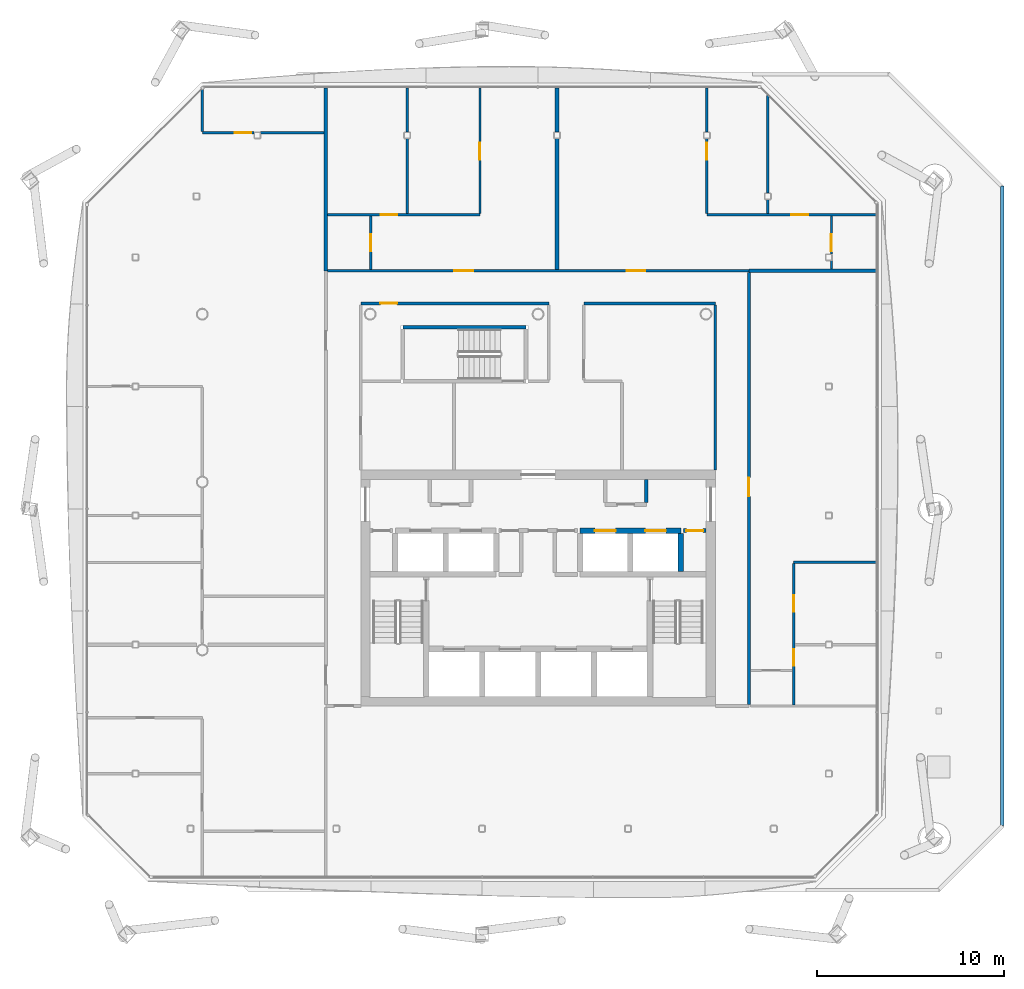
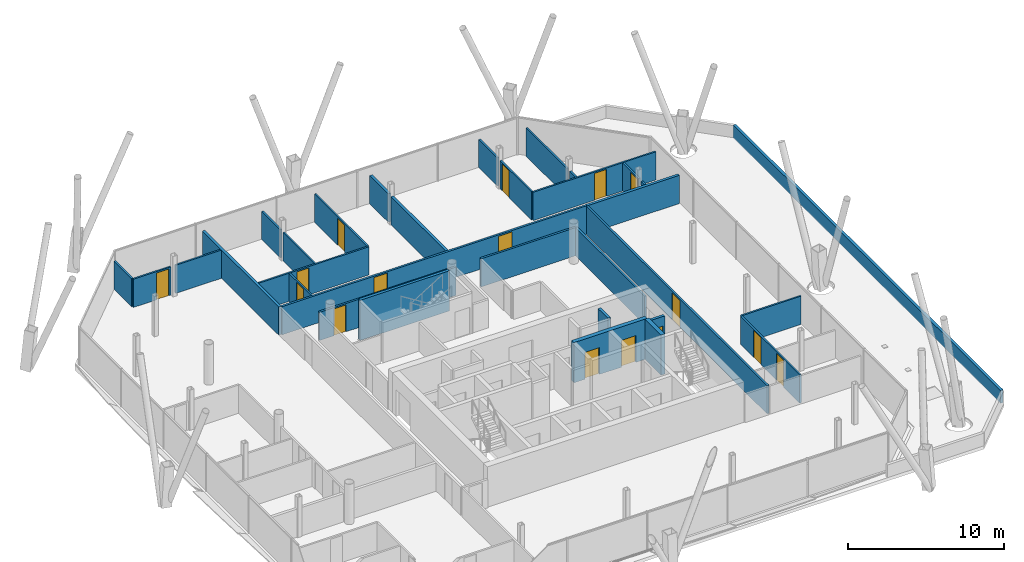
# One storey, part 15 of 21: 32 walls, 16 doors, 16 openings.
"""IFC4 building model written with IfcOpenShell, lengths in metres."""

from ifc_helpers import new_model, si_unit, direction, frame, frame_2d, origin, place, context, subcontext, project, spatial, rectangle, extrude, material, layer, layer_set, type_object, element, fill, save


model = new_model("IFC4")

# Units and contexts
model_context = context("Model", 3, precision=1e-05, world=origin(), true_north=direction((0.0, 1.0)))
body_context = subcontext(model_context, "Body", "Model", "MODEL_VIEW")
ifc_project = project(units=[si_unit("LENGTHUNIT", "METRE"), si_unit("AREAUNIT", "SQUARE_METRE"), si_unit("VOLUMEUNIT", "CUBIC_METRE"), si_unit("PLANEANGLEUNIT", "RADIAN"), si_unit("MASSUNIT", "GRAM", prefix="KILO")], contexts=[model_context])

# Site, building, storey
site_placement = place(None, origin())
site = spatial("IfcSite", under=ifc_project, at=site_placement, CompositionType="ELEMENT")
building_placement = place(site_placement, origin())
building = spatial("IfcBuilding", under=site, at=building_placement, Name="Tskaro Facet Tower", CompositionType="ELEMENT")
storey_placement = place(building_placement, frame((0.0, 0.0, 172.199951171875)))
storey = spatial("IfcBuildingStorey", under=building, at=storey_placement, Name="L42", CompositionType="ELEMENT", Elevation=172.199951171875)

# Wall, openings, doors
ifc_material_1 = material(Name="Concrete C60/75", Category="concrete")
ifc_layer_1 = layer(ifc_material_1, 0.300048828125, Name="Concrete C60/75")
ifc_layer_set_1 = layer_set([ifc_layer_1], Name="Concrete C60/75")
wall_type_1 = type_object("IfcWallType", Name="CORE-SHAFT", PredefinedType="SHEAR", material=ifc_layer_set_1)
wall_1_placement = place(storey_placement, frame((2.25, -2.60009765625, 0.0), z_axis=(0.0, 0.0, 1.0), x_axis=(1.0, 0.0, 0.0)))
wall_1 = element("IfcWall", 1, at=wall_1_placement, inside=storey, type_object=wall_type_1, Name="Shaft wall W025", PredefinedType="SHEAR", context=body_context, shape_type="SweptSolid", body=[
    extrude(rectangle(XDim=5.39990234375, YDim=0.300048828125, at=frame_2d((2.699951171875, 0.0))), origin(), (0.0, 0.0, 1.0), 3.150146484375),
])
opening_1_placement = place(wall_1_placement, frame((0.800048828125, 0.0, 0.0)))
opening_1 = element("IfcOpeningElement", 2, at=opening_1_placement, cuts=wall_1, Name="Opening LD-HB3", PredefinedType="OPENING", context=body_context, shape_type="SweptSolid", body=[
    extrude(rectangle(XDim=1.10009765625, YDim=2.10009765625, at=frame_2d((0.550048828125, 1.050048828125))), frame((0.0, 0.159912109375, 0.0), z_axis=(0.0, -1.0, 0.0), x_axis=(1.0, 0.0, 0.0)), (0.0, 0.0, 1.0), 0.320068359375),
])
opening_2_placement = place(wall_1_placement, frame((3.5, 0.0, 0.0)))
opening_2 = element("IfcOpeningElement", 3, at=opening_2_placement, cuts=wall_1, Name="Opening LD-HB4", PredefinedType="OPENING", context=body_context, shape_type="SweptSolid", body=[
    extrude(rectangle(XDim=1.10009765625, YDim=2.10009765625, at=frame_2d((0.550048828125, 1.050048828125))), frame((0.0, 0.159912109375, 0.0), z_axis=(0.0, -1.0, 0.0), x_axis=(1.0, 0.0, 0.0)), (0.0, 0.0, 1.0), 0.320068359375),
])
ifc_material_2 = material(Name="Stainless steel", Category="steel")
door_type_1 = type_object("IfcDoorType", Name="D-LANDING", OperationType="NOTDEFINED", PredefinedType="DOOR", material=ifc_material_2)
door_1_placement = place(opening_1_placement, origin())
door_1 = element("IfcDoor", 4, at=door_1_placement, inside=storey, type_object=door_type_1, Name="Landing door HB3", OperationType="DOUBLE_DOOR_SLIDING", OverallHeight=2.10009765625, OverallWidth=1.10009765625, PredefinedType="DOOR", context=body_context, shape_type="SweptSolid", body=[
    extrude(rectangle(XDim=1.10009765625, YDim=2.10009765625, at=frame_2d((0.550048828125, 1.050048828125))), frame((0.0, 0.02490234375, 0.0), z_axis=(0.0, -1.0, 0.0), x_axis=(1.0, 0.0, 0.0)), (0.0, 0.0, 1.0), 0.050048828125),
])
fill(opening_1, door_1)
door_2_placement = place(opening_2_placement, origin())
door_2 = element("IfcDoor", 5, at=door_2_placement, inside=storey, type_object=door_type_1, Name="Landing door HB4", OperationType="DOUBLE_DOOR_SLIDING", OverallHeight=2.10009765625, OverallWidth=1.10009765625, PredefinedType="DOOR", context=body_context, shape_type="SweptSolid", body=[
    extrude(rectangle(XDim=1.10009765625, YDim=2.10009765625, at=frame_2d((0.550048828125, 1.050048828125))), frame((0.0, 0.02490234375, 0.0), z_axis=(0.0, -1.0, 0.0), x_axis=(1.0, 0.0, 0.0)), (0.0, 0.0, 1.0), 0.050048828125),
])
fill(opening_2, door_2)

# Wall
wall_2_placement = place(storey_placement, frame((7.64990234375, -4.800048828125, 0.0), z_axis=(0.0, 0.0, 1.0), x_axis=(0.0, 1.0, 0.0)))
element("IfcWall", 6, at=wall_2_placement, inside=storey, type_object=wall_type_1, Name="Shaft wall W082", PredefinedType="SHEAR", context=body_context, shape_type="SweptSolid", body=[
    extrude(rectangle(XDim=2.050048828125, YDim=0.300048828125, at=frame_2d((1.02490234375, 0.0))), origin(), (0.0, 0.0, 1.0), 3.150146484375),
])

# Wall, opening, door
ifc_material_3 = material(Name="Concrete C20/25", Category="concrete")
ifc_layer_2 = layer(ifc_material_3, 0.199951171875, Name="Concrete C20/25")
ifc_layer_set_2 = layer_set([ifc_layer_2], Name="Concrete C20/25")
wall_type_2 = type_object("IfcWallType", Name="CORE-WALL", PredefinedType="SOLIDWALL", material=ifc_layer_set_2)
wall_3_placement = place(storey_placement, frame((9.0, -2.60009765625, 0.0), z_axis=(0.0, 0.0, 1.0), x_axis=(-1.0, 0.0, 0.0)))
wall_3 = element("IfcWall", 7, at=wall_3_placement, inside=storey, type_object=wall_type_2, Name="Core room wall W026", PredefinedType="SOLIDWALL", context=body_context, shape_type="SweptSolid", body=[
    extrude(rectangle(XDim=1.199951171875, YDim=0.199951171875, at=frame_2d((0.60009765625, 0.0))), origin(), (0.0, 0.0, 1.0), 2.85009765625),
])
opening_3_placement = place(wall_3_placement, frame((0.14990234375, 0.0, 0.0)))
opening_3 = element("IfcOpeningElement", 8, at=opening_3_placement, cuts=wall_3, Name="Opening T12-D15", PredefinedType="OPENING", context=body_context, shape_type="SweptSolid", body=[
    extrude(rectangle(XDim=0.89990234375, YDim=2.10009765625, at=frame_2d((0.449951171875, 1.050048828125))), frame((0.0, 0.10986328125, 0.0), z_axis=(0.0, -1.0, 0.0), x_axis=(1.0, 0.0, 0.0)), (0.0, 0.0, 1.0), 0.219970703125),
])
ifc_material_4 = material(Name="Timber", Category="wood")
door_type_2 = type_object("IfcDoorType", Name="D-ROOM", OperationType="NOTDEFINED", PredefinedType="DOOR", material=ifc_material_4)
door_3_placement = place(opening_3_placement, origin())
door_3 = element("IfcDoor", 9, at=door_3_placement, inside=storey, type_object=door_type_2, Name="Door T12-D15", OperationType="SINGLE_SWING_RIGHT", OverallHeight=2.10009765625, OverallWidth=0.89990234375, PredefinedType="DOOR", context=body_context, shape_type="SweptSolid", body=[
    extrude(rectangle(XDim=0.89990234375, YDim=2.10009765625, at=frame_2d((0.449951171875, 1.050048828125))), frame((0.0, 0.02490234375, 0.0), z_axis=(0.0, -1.0, 0.0), x_axis=(1.0, 0.0, 0.0)), (0.0, 0.0, 1.0), 0.050048828125),
])
fill(opening_3, door_3)

# Walls
wall_4_placement = place(storey_placement, frame((5.800048828125, -1.10009765625, 0.0), z_axis=(0.0, 0.0, 1.0), x_axis=(0.0, 1.0, 0.0)))
element("IfcWall", 10, at=wall_4_placement, inside=storey, type_object=wall_type_2, Name="Core room wall W080", PredefinedType="SOLIDWALL", context=body_context, shape_type="SweptSolid", body=[
    extrude(rectangle(XDim=1.25, YDim=0.199951171875, at=frame_2d((0.625, 0.0))), origin(), (0.0, 0.0, 1.0), 2.85009765625),
])
ifc_material_5 = material(Name="Gypsum board on steel studs", Category="steel")
ifc_layer_3 = layer(ifc_material_5, 0.125, Name="Gypsum board on steel studs")
ifc_layer_set_3 = layer_set([ifc_layer_3], Name="Gypsum board on steel studs")
wall_type_3 = type_object("IfcWallType", Name="PART", PredefinedType="PARTITIONING", material=ifc_layer_set_3)
wall_5_placement = place(storey_placement, frame((13.699951171875, -4.300048828125, 0.0), z_axis=(0.0, 0.0, 1.0), x_axis=(1.0, 0.0, 0.0)))
element("IfcWall", 11, at=wall_5_placement, inside=storey, type_object=wall_type_3, Name="Partition W021", PredefinedType="PARTITIONING", context=body_context, shape_type="SweptSolid", body=[
    extrude(rectangle(XDim=4.425048828125, YDim=0.125, at=frame_2d((2.21240234375, 0.0))), origin(), (0.0, 0.0, 1.0), 2.2099609375),
])

# Wall, opening, door
wall_6_placement = place(storey_placement, frame((-11.27490234375, 14.324951171875, 0.0), z_axis=(0.0, 0.0, 1.0), x_axis=(1.0, 0.0, 0.0)))
wall_6 = element("IfcWall", 12, at=wall_6_placement, inside=storey, type_object=wall_type_3, Name="Partition W042", PredefinedType="PARTITIONING", context=body_context, shape_type="SweptSolid", body=[
    extrude(rectangle(XDim=8.159912109375, YDim=0.125, at=frame_2d((4.080078125, 0.0))), origin(), (0.0, 0.0, 1.0), 2.2099609375),
])
opening_4_placement = place(wall_6_placement, frame((2.830078125, 0.0, 0.0)))
opening_4 = element("IfcOpeningElement", 13, at=opening_4_placement, cuts=wall_6, Name="Opening T12-D31", PredefinedType="OPENING", context=body_context, shape_type="SweptSolid", body=[
    extrude(rectangle(XDim=0.89990234375, YDim=2.10009765625, at=frame_2d((0.449951171875, 1.050048828125))), frame((0.0, 0.072509765625, 0.0), z_axis=(0.0, -1.0, 0.0), x_axis=(1.0, 0.0, 0.0)), (0.0, 0.0, 1.0), 0.14501953125),
])
door_4_placement = place(opening_4_placement, origin())
door_4 = element("IfcDoor", 14, at=door_4_placement, inside=storey, type_object=door_type_2, Name="Door T12-D31", OperationType="SINGLE_SWING_RIGHT", OverallHeight=2.10009765625, OverallWidth=0.89990234375, PredefinedType="DOOR", context=body_context, shape_type="SweptSolid", body=[
    extrude(rectangle(XDim=0.89990234375, YDim=2.10009765625, at=frame_2d((0.449951171875, 1.050048828125))), frame((0.0, 0.02490234375, 0.0), z_axis=(0.0, -1.0, 0.0), x_axis=(1.0, 0.0, 0.0)), (0.0, 0.0, 1.0), 0.050048828125),
])
fill(opening_4, door_4)

wall_7_placement = place(storey_placement, frame((9.044921875, 14.324951171875, 0.0), z_axis=(0.0, 0.0, 1.0), x_axis=(1.0, 0.0, 0.0)))
wall_7 = element("IfcWall", 15, at=wall_7_placement, inside=storey, type_object=wall_type_3, Name="Partition W043", PredefinedType="PARTITIONING", context=body_context, shape_type="SweptSolid", body=[
    extrude(rectangle(XDim=9.080078125, YDim=0.125, at=frame_2d((4.5400390625, 0.0))), origin(), (0.0, 0.0, 1.0), 2.2099609375),
])
opening_5_placement = place(wall_7_placement, frame((4.52490234375, 0.0, 0.0)))
opening_5 = element("IfcOpeningElement", 16, at=opening_5_placement, cuts=wall_7, Name="Opening T12-D32", PredefinedType="OPENING", context=body_context, shape_type="SweptSolid", body=[
    extrude(rectangle(XDim=0.89990234375, YDim=2.10009765625, at=frame_2d((0.449951171875, 1.050048828125))), frame((0.0, 0.072509765625, 0.0), z_axis=(0.0, -1.0, 0.0), x_axis=(1.0, 0.0, 0.0)), (0.0, 0.0, 1.0), 0.14501953125),
])
door_5_placement = place(opening_5_placement, origin())
door_5 = element("IfcDoor", 17, at=door_5_placement, inside=storey, type_object=door_type_2, Name="Door T12-D32", OperationType="SINGLE_SWING_LEFT", OverallHeight=2.10009765625, OverallWidth=0.89990234375, PredefinedType="DOOR", context=body_context, shape_type="SweptSolid", body=[
    extrude(rectangle(XDim=0.89990234375, YDim=2.10009765625, at=frame_2d((0.449951171875, 1.050048828125))), frame((0.0, 0.02490234375, 0.0), z_axis=(0.0, -1.0, 0.0), x_axis=(1.0, 0.0, 0.0)), (0.0, 0.0, 1.0), 0.050048828125),
])
fill(opening_5, door_5)

wall_8_placement = place(storey_placement, frame((-18.0, 18.72509765625, 0.0), z_axis=(0.0, 0.0, 1.0), x_axis=(1.0, 0.0, 0.0)))
wall_8 = element("IfcWall", 18, at=wall_8_placement, inside=storey, type_object=wall_type_3, Name="Partition W044", PredefinedType="PARTITIONING", context=body_context, shape_type="SweptSolid", body=[
    extrude(rectangle(XDim=2.779052734375, YDim=0.125, at=frame_2d((1.3896484375, 0.0))), origin(), (0.0, 0.0, 1.0), 2.2099609375),
])
opening_6_placement = place(wall_8_placement, frame((1.72900390625, 0.0, 0.0)))
opening_6 = element("IfcOpeningElement", 19, at=opening_6_placement, cuts=wall_8, Name="Opening T12-D35", PredefinedType="OPENING", context=body_context, shape_type="SweptSolid", body=[
    extrude(rectangle(XDim=0.89990234375, YDim=2.10009765625, at=frame_2d((0.449951171875, 1.050048828125))), frame((0.0, 0.072509765625, 0.0), z_axis=(0.0, -1.0, 0.0), x_axis=(1.0, 0.0, 0.0)), (0.0, 0.0, 1.0), 0.14501953125),
])
door_6_placement = place(opening_6_placement, origin())
door_6 = element("IfcDoor", 20, at=door_6_placement, inside=storey, type_object=door_type_2, Name="Door T12-D35", OperationType="SINGLE_SWING_LEFT", OverallHeight=2.10009765625, OverallWidth=0.89990234375, PredefinedType="DOOR", context=body_context, shape_type="SweptSolid", body=[
    extrude(rectangle(XDim=0.89990234375, YDim=2.10009765625, at=frame_2d((0.449951171875, 1.050048828125))), frame((0.0, 0.02490234375, 0.0), z_axis=(0.0, -1.0, 0.0), x_axis=(1.0, 0.0, 0.0)), (0.0, 0.0, 1.0), 0.050048828125),
])
fill(opening_6, door_6)

# Walls
wall_9_placement = place(storey_placement, frame((-14.87109375, 18.72509765625, 0.0), z_axis=(0.0, 0.0, 1.0), x_axis=(1.0, 0.0, 0.0)))
element("IfcWall", 21, at=wall_9_placement, inside=storey, type_object=wall_type_3, Name="Partition W045", PredefinedType="PARTITIONING", context=body_context, shape_type="SweptSolid", body=[
    extrude(rectangle(XDim=3.39599609375, YDim=0.125, at=frame_2d((1.697998046875, 0.0))), origin(), (0.0, 0.0, 1.0), 2.2099609375),
])
wall_10_placement = place(storey_placement, frame((-18.0, 18.78759765625, 0.0), z_axis=(0.0, 0.0, 1.0), x_axis=(0.0, 1.0, 0.0)))
element("IfcWall", 22, at=wall_10_placement, inside=storey, type_object=wall_type_3, Name="Partition W049", PredefinedType="PARTITIONING", context=body_context, shape_type="SweptSolid", body=[
    extrude(rectangle(XDim=2.24951171875, YDim=0.125, at=frame_2d((1.124755859375, 0.0))), origin(), (0.0, 0.0, 1.0), 2.2099609375),
])

# Wall, opening, door
wall_11_placement = place(storey_placement, frame((-8.97509765625, 11.39990234375, 0.0), z_axis=(0.0, 0.0, 1.0), x_axis=(0.0, 1.0, 0.0)))
wall_11 = element("IfcWall", 23, at=wall_11_placement, inside=storey, type_object=wall_type_3, Name="Partition W054", PredefinedType="PARTITIONING", context=body_context, shape_type="SweptSolid", body=[
    extrude(rectangle(XDim=2.862548828125, YDim=0.125, at=frame_2d((1.43115234375, 0.0))), origin(), (0.0, 0.0, 1.0), 2.2099609375),
])
opening_7_placement = place(wall_11_placement, frame((0.97509765625, 0.0, 0.0)))
opening_7 = element("IfcOpeningElement", 24, at=opening_7_placement, cuts=wall_11, Name="Opening T12-D29", PredefinedType="OPENING", context=body_context, shape_type="SweptSolid", body=[
    extrude(rectangle(XDim=0.89990234375, YDim=2.10009765625, at=frame_2d((0.449951171875, 1.050048828125))), frame((0.0, 0.072509765625, 0.0), z_axis=(0.0, -1.0, 0.0), x_axis=(1.0, 0.0, 0.0)), (0.0, 0.0, 1.0), 0.14501953125),
])
door_7_placement = place(opening_7_placement, origin())
door_7 = element("IfcDoor", 25, at=door_7_placement, inside=storey, type_object=door_type_2, Name="Door T12-D29", OperationType="SINGLE_SWING_LEFT", OverallHeight=2.10009765625, OverallWidth=0.89990234375, PredefinedType="DOOR", context=body_context, shape_type="SweptSolid", body=[
    extrude(rectangle(XDim=0.89990234375, YDim=2.10009765625, at=frame_2d((0.449951171875, 1.050048828125))), frame((0.0, 0.02490234375, 0.0), z_axis=(0.0, -1.0, 0.0), x_axis=(1.0, 0.0, 0.0)), (0.0, 0.0, 1.0), 0.050048828125),
])
fill(opening_7, door_7)

# Walls
wall_12_placement = place(storey_placement, frame((-7.014892578125, 14.387451171875, 0.0), z_axis=(0.0, 0.0, 1.0), x_axis=(0.0, 1.0, 0.0)))
element("IfcWall", 26, at=wall_12_placement, inside=storey, type_object=wall_type_3, Name="Partition W057", PredefinedType="PARTITIONING", context=body_context, shape_type="SweptSolid", body=[
    extrude(rectangle(XDim=4.0205078125, YDim=0.125, at=frame_2d((2.01025390625, 0.0))), origin(), (0.0, 0.0, 1.0), 2.2099609375),
])
wall_13_placement = place(storey_placement, frame((-7.014892578125, 18.758056640625, 0.0), z_axis=(0.0, 0.0, 1.0), x_axis=(0.0, 1.0, 0.0)))
element("IfcWall", 27, at=wall_13_placement, inside=storey, type_object=wall_type_3, Name="Partition W058", PredefinedType="PARTITIONING", context=body_context, shape_type="SweptSolid", body=[
    extrude(rectangle(XDim=2.366943359375, YDim=0.125, at=frame_2d((1.18359375, 0.0))), origin(), (0.0, 0.0, 1.0), 2.2099609375),
])

# Wall, opening, door
wall_14_placement = place(storey_placement, frame((-3.114990234375, 14.387451171875, 0.0), z_axis=(0.0, 0.0, 1.0), x_axis=(0.0, 1.0, 0.0)))
wall_14 = element("IfcWall", 28, at=wall_14_placement, inside=storey, type_object=wall_type_3, Name="Partition W064", PredefinedType="PARTITIONING", context=body_context, shape_type="SweptSolid", body=[
    extrude(rectangle(XDim=6.737548828125, YDim=0.125, at=frame_2d((3.36865234375, 0.0))), origin(), (0.0, 0.0, 1.0), 2.2099609375),
])
opening_8_placement = place(wall_14_placement, frame((2.887451171875, 0.0, 0.0)))
opening_8 = element("IfcOpeningElement", 29, at=opening_8_placement, cuts=wall_14, Name="Opening T12-D33", PredefinedType="OPENING", context=body_context, shape_type="SweptSolid", body=[
    extrude(rectangle(XDim=0.89990234375, YDim=2.10009765625, at=frame_2d((0.449951171875, 1.050048828125))), frame((0.0, 0.072509765625, 0.0), z_axis=(0.0, -1.0, 0.0), x_axis=(1.0, 0.0, 0.0)), (0.0, 0.0, 1.0), 0.14501953125),
])
door_8_placement = place(opening_8_placement, origin())
door_8 = element("IfcDoor", 30, at=door_8_placement, inside=storey, type_object=door_type_2, Name="Door T12-D33", OperationType="SINGLE_SWING_RIGHT", OverallHeight=2.10009765625, OverallWidth=0.89990234375, PredefinedType="DOOR", context=body_context, shape_type="SweptSolid", body=[
    extrude(rectangle(XDim=0.89990234375, YDim=2.10009765625, at=frame_2d((0.449951171875, 1.050048828125))), frame((0.0, 0.02490234375, 0.0), z_axis=(0.0, -1.0, 0.0), x_axis=(1.0, 0.0, 0.0)), (0.0, 0.0, 1.0), 0.050048828125),
])
fill(opening_8, door_8)

wall_15_placement = place(storey_placement, frame((9.044921875, 18.407958984375, 0.0), z_axis=(0.0, 0.0, 1.0), x_axis=(0.0, -1.0, 0.0)))
wall_15 = element("IfcWall", 31, at=wall_15_placement, inside=storey, type_object=wall_type_3, Name="Partition W083", PredefinedType="PARTITIONING", context=body_context, shape_type="SweptSolid", body=[
    extrude(rectangle(XDim=4.0205078125, YDim=0.125, at=frame_2d((2.01025390625, 0.0))), origin(), (0.0, 0.0, 1.0), 2.2099609375),
])
opening_9_placement = place(wall_15_placement, frame((0.23291015625, 0.0, 0.0)))
opening_9 = element("IfcOpeningElement", 32, at=opening_9_placement, cuts=wall_15, Name="Opening T12-D34", PredefinedType="OPENING", context=body_context, shape_type="SweptSolid", body=[
    extrude(rectangle(XDim=0.89990234375, YDim=2.10009765625, at=frame_2d((0.449951171875, 1.050048828125))), frame((0.0, 0.072509765625, 0.0), z_axis=(0.0, -1.0, 0.0), x_axis=(1.0, 0.0, 0.0)), (0.0, 0.0, 1.0), 0.14501953125),
])
door_9_placement = place(opening_9_placement, origin())
door_9 = element("IfcDoor", 33, at=door_9_placement, inside=storey, type_object=door_type_2, Name="Door T12-D34", OperationType="SINGLE_SWING_LEFT", OverallHeight=2.10009765625, OverallWidth=0.89990234375, PredefinedType="DOOR", context=body_context, shape_type="SweptSolid", body=[
    extrude(rectangle(XDim=0.89990234375, YDim=2.10009765625, at=frame_2d((0.449951171875, 1.050048828125))), frame((0.0, 0.02490234375, 0.0), z_axis=(0.0, -1.0, 0.0), x_axis=(1.0, 0.0, 0.0)), (0.0, 0.0, 1.0), 0.050048828125),
])
fill(opening_9, door_9)

# Walls
wall_16_placement = place(storey_placement, frame((9.044921875, 18.758056640625, 0.0), z_axis=(0.0, 0.0, 1.0), x_axis=(0.0, 1.0, 0.0)))
element("IfcWall", 34, at=wall_16_placement, inside=storey, type_object=wall_type_3, Name="Partition W084", PredefinedType="PARTITIONING", context=body_context, shape_type="SweptSolid", body=[
    extrude(rectangle(XDim=2.366943359375, YDim=0.125, at=frame_2d((1.18359375, 0.0))), origin(), (0.0, 0.0, 1.0), 2.2099609375),
])
wall_17_placement = place(storey_placement, frame((12.31494140625, 14.387451171875, 0.0), z_axis=(0.0, 0.0, 1.0), x_axis=(0.0, 1.0, 0.0)))
element("IfcWall", 35, at=wall_17_placement, inside=storey, type_object=wall_type_3, Name="Partition W087", PredefinedType="PARTITIONING", context=body_context, shape_type="SweptSolid", body=[
    extrude(rectangle(XDim=0.75146484375, YDim=0.125, at=frame_2d((0.375732421875, 0.0))), origin(), (0.0, 0.0, 1.0), 2.2099609375),
])
wall_18_placement = place(storey_placement, frame((12.31494140625, 15.489013671875, 0.0), z_axis=(0.0, 0.0, 1.0), x_axis=(0.0, 1.0, 0.0)))
element("IfcWall", 36, at=wall_18_placement, inside=storey, type_object=wall_type_3, Name="Partition W088", PredefinedType="PARTITIONING", context=body_context, shape_type="SweptSolid", body=[
    extrude(rectangle(XDim=5.23291015625, YDim=0.125, at=frame_2d((2.616455078125, 0.0))), origin(), (0.0, 0.0, 1.0), 2.2099609375),
])

# Wall, openings, doors
wall_19_placement = place(storey_placement, frame((13.699951171875, -4.362548828125, 0.0), z_axis=(0.0, 0.0, 1.0), x_axis=(0.0, -1.0, 0.0)))
wall_19 = element("IfcWall", 37, at=wall_19_placement, inside=storey, type_object=wall_type_3, Name="Partition W089", PredefinedType="PARTITIONING", context=body_context, shape_type="SweptSolid", body=[
    extrude(rectangle(XDim=7.574951171875, YDim=0.125, at=frame_2d((3.78759765625, 0.0))), origin(), (0.0, 0.0, 1.0), 2.2099609375),
])
opening_10_placement = place(wall_19_placement, frame((4.594970703125, 0.0, 0.0)))
opening_10 = element("IfcOpeningElement", 38, at=opening_10_placement, cuts=wall_19, Name="Opening T12-D07", PredefinedType="OPENING", context=body_context, shape_type="SweptSolid", body=[
    extrude(rectangle(XDim=0.89990234375, YDim=2.10009765625, at=frame_2d((0.449951171875, 1.050048828125))), frame((0.0, 0.072509765625, 0.0), z_axis=(0.0, -1.0, 0.0), x_axis=(1.0, 0.0, 0.0)), (0.0, 0.0, 1.0), 0.14501953125),
])
opening_11_placement = place(wall_19_placement, frame((1.695068359375, 0.0, 0.0)))
opening_11 = element("IfcOpeningElement", 39, at=opening_11_placement, cuts=wall_19, Name="Opening T12-D09", PredefinedType="OPENING", context=body_context, shape_type="SweptSolid", body=[
    extrude(rectangle(XDim=0.89990234375, YDim=2.10009765625, at=frame_2d((0.449951171875, 1.050048828125))), frame((0.0, 0.072509765625, 0.0), z_axis=(0.0, -1.0, 0.0), x_axis=(1.0, 0.0, 0.0)), (0.0, 0.0, 1.0), 0.14501953125),
])
door_10_placement = place(opening_10_placement, origin())
door_10 = element("IfcDoor", 40, at=door_10_placement, inside=storey, type_object=door_type_2, Name="Door T12-D07", OperationType="SINGLE_SWING_LEFT", OverallHeight=2.10009765625, OverallWidth=0.89990234375, PredefinedType="DOOR", context=body_context, shape_type="SweptSolid", body=[
    extrude(rectangle(XDim=0.89990234375, YDim=2.10009765625, at=frame_2d((0.449951171875, 1.050048828125))), frame((0.0, 0.02490234375, 0.0), z_axis=(0.0, -1.0, 0.0), x_axis=(1.0, 0.0, 0.0)), (0.0, 0.0, 1.0), 0.050048828125),
])
fill(opening_10, door_10)
door_11_placement = place(opening_11_placement, origin())
door_11 = element("IfcDoor", 41, at=door_11_placement, inside=storey, type_object=door_type_2, Name="Door T12-D09", OperationType="SINGLE_SWING_RIGHT", OverallHeight=2.10009765625, OverallWidth=0.89990234375, PredefinedType="DOOR", context=body_context, shape_type="SweptSolid", body=[
    extrude(rectangle(XDim=0.89990234375, YDim=2.10009765625, at=frame_2d((0.449951171875, 1.050048828125))), frame((0.0, 0.02490234375, 0.0), z_axis=(0.0, -1.0, 0.0), x_axis=(1.0, 0.0, 0.0)), (0.0, 0.0, 1.0), 0.050048828125),
])
fill(opening_11, door_11)

# Wall
wall_20_placement = place(storey_placement, frame((15.72509765625, 11.425048828125, 0.0), z_axis=(0.0, 0.0, 1.0), x_axis=(0.0, 1.0, 0.0)))
element("IfcWall", 42, at=wall_20_placement, inside=storey, type_object=wall_type_3, Name="Partition W090", PredefinedType="PARTITIONING", context=body_context, shape_type="SweptSolid", body=[
    extrude(rectangle(XDim=0.446044921875, YDim=0.125, at=frame_2d((0.22314453125, 0.0))), origin(), (0.0, 0.0, 1.0), 2.2099609375),
])

# Wall, opening, door
wall_21_placement = place(storey_placement, frame((15.72509765625, 14.262451171875, 0.0), z_axis=(0.0, 0.0, 1.0), x_axis=(0.0, -1.0, 0.0)))
wall_21 = element("IfcWall", 43, at=wall_21_placement, inside=storey, type_object=wall_type_3, Name="Partition W091", PredefinedType="PARTITIONING", context=body_context, shape_type="SweptSolid", body=[
    extrude(rectangle(XDim=2.04150390625, YDim=0.125, at=frame_2d((1.020751953125, 0.0))), origin(), (0.0, 0.0, 1.0), 2.2099609375),
])
opening_12_placement = place(wall_21_placement, frame((0.987548828125, 0.0, 0.0)))
opening_12 = element("IfcOpeningElement", 44, at=opening_12_placement, cuts=wall_21, Name="Opening T12-D30", PredefinedType="OPENING", context=body_context, shape_type="SweptSolid", body=[
    extrude(rectangle(XDim=0.89990234375, YDim=2.10009765625, at=frame_2d((0.449951171875, 1.050048828125))), frame((0.0, 0.072509765625, 0.0), z_axis=(0.0, -1.0, 0.0), x_axis=(1.0, 0.0, 0.0)), (0.0, 0.0, 1.0), 0.14501953125),
])
door_12_placement = place(opening_12_placement, origin())
door_12 = element("IfcDoor", 45, at=door_12_placement, inside=storey, type_object=door_type_2, Name="Door T12-D30", OperationType="SINGLE_SWING_RIGHT", OverallHeight=2.10009765625, OverallWidth=0.89990234375, PredefinedType="DOOR", context=body_context, shape_type="SweptSolid", body=[
    extrude(rectangle(XDim=0.89990234375, YDim=2.10009765625, at=frame_2d((0.449951171875, 1.050048828125))), frame((0.0, 0.02490234375, 0.0), z_axis=(0.0, -1.0, 0.0), x_axis=(1.0, 0.0, 0.0)), (0.0, 0.0, 1.0), 0.050048828125),
])
fill(opening_12, door_12)

ifc_layer_4 = layer(ifc_material_5, 0.14990234375, Name="Gypsum board on steel studs")
ifc_layer_set_4 = layer_set([ifc_layer_4], Name="Gypsum board on steel studs")
wall_type_4 = type_object("IfcWallType", Name="PART-CORR", PredefinedType="PARTITIONING", material=ifc_layer_set_4)
wall_22_placement = place(storey_placement, frame((0.574951171875, 9.574951171875, 0.0), z_axis=(0.0, 0.0, 1.0), x_axis=(-1.0, 0.0, 0.0)))
wall_22 = element("IfcWall", 46, at=wall_22_placement, inside=storey, type_object=wall_type_4, Name="Corridor wall W038", PredefinedType="PARTITIONING", context=body_context, shape_type="SweptSolid", body=[
    extrude(rectangle(XDim=10.074951171875, YDim=0.14990234375, at=frame_2d((5.03759765625, 0.0))), origin(), (0.0, 0.0, 1.0), 2.2099609375),
])
opening_13_placement = place(wall_22_placement, frame((8.125, 0.0, 0.0)))
opening_13 = element("IfcOpeningElement", 47, at=opening_13_placement, cuts=wall_22, Name="Opening T12-D26", PredefinedType="OPENING", context=body_context, shape_type="SweptSolid", body=[
    extrude(rectangle(XDim=0.89990234375, YDim=2.10009765625, at=frame_2d((0.449951171875, 1.050048828125))), frame((0.0, 0.0849609375, 0.0), z_axis=(0.0, -1.0, 0.0), x_axis=(1.0, 0.0, 0.0)), (0.0, 0.0, 1.0), 0.169921875),
])
door_13_placement = place(opening_13_placement, origin())
door_13 = element("IfcDoor", 48, at=door_13_placement, inside=storey, type_object=door_type_2, Name="Door T12-D26", OperationType="SINGLE_SWING_RIGHT", OverallHeight=2.10009765625, OverallWidth=0.89990234375, PredefinedType="DOOR", context=body_context, shape_type="SweptSolid", body=[
    extrude(rectangle(XDim=0.89990234375, YDim=2.10009765625, at=frame_2d((0.449951171875, 1.050048828125))), frame((0.0, 0.02490234375, 0.0), z_axis=(0.0, -1.0, 0.0), x_axis=(1.0, 0.0, 0.0)), (0.0, 0.0, 1.0), 0.050048828125),
])
fill(opening_13, door_13)

# Wall
wall_23_placement = place(storey_placement, frame((2.449951171875, 9.574951171875, 0.0), z_axis=(0.0, 0.0, 1.0), x_axis=(1.0, 0.0, 0.0)))
element("IfcWall", 49, at=wall_23_placement, inside=storey, type_object=wall_type_4, Name="Corridor wall W039", PredefinedType="PARTITIONING", context=body_context, shape_type="SweptSolid", body=[
    extrude(rectangle(XDim=7.050048828125, YDim=0.14990234375, at=frame_2d((3.52490234375, 0.0))), origin(), (0.0, 0.0, 1.0), 2.2099609375),
])

# Wall, openings, doors
wall_24_placement = place(storey_placement, frame((-11.27490234375, 11.324951171875, 0.0), z_axis=(0.0, 0.0, 1.0), x_axis=(1.0, 0.0, 0.0)))
wall_24 = element("IfcWall", 50, at=wall_24_placement, inside=storey, type_object=wall_type_4, Name="Corridor wall W040", PredefinedType="PARTITIONING", context=body_context, shape_type="SweptSolid", body=[
    extrude(rectangle(XDim=22.574951171875, YDim=0.14990234375, at=frame_2d((11.28759765625, 0.0))), origin(), (0.0, 0.0, 1.0), 2.2099609375),
])
opening_14_placement = place(wall_24_placement, frame((6.794921875, 0.0, 0.0)))
opening_14 = element("IfcOpeningElement", 51, at=opening_14_placement, cuts=wall_24, Name="Opening T12-D27", PredefinedType="OPENING", context=body_context, shape_type="SweptSolid", body=[
    extrude(rectangle(XDim=1.0, YDim=2.10009765625, at=frame_2d((0.5, 1.050048828125))), frame((0.0, 0.0849609375, 0.0), z_axis=(0.0, -1.0, 0.0), x_axis=(1.0, 0.0, 0.0)), (0.0, 0.0, 1.0), 0.169921875),
])
opening_15_placement = place(wall_24_placement, frame((16.032470703125, 0.0, 0.0)))
opening_15 = element("IfcOpeningElement", 52, at=opening_15_placement, cuts=wall_24, Name="Opening T12-D28", PredefinedType="OPENING", context=body_context, shape_type="SweptSolid", body=[
    extrude(rectangle(XDim=1.0, YDim=2.10009765625, at=frame_2d((0.5, 1.050048828125))), frame((0.0, 0.0849609375, 0.0), z_axis=(0.0, -1.0, 0.0), x_axis=(1.0, 0.0, 0.0)), (0.0, 0.0, 1.0), 0.169921875),
])
door_type_3 = type_object("IfcDoorType", Name="D-FLAT-ENTRY", OperationType="NOTDEFINED", PredefinedType="DOOR", material=ifc_material_4)
door_14_placement = place(opening_14_placement, origin())
door_14 = element("IfcDoor", 53, at=door_14_placement, inside=storey, type_object=door_type_3, Name="Door T12-D27", OperationType="SINGLE_SWING_LEFT", OverallHeight=2.10009765625, OverallWidth=1.0, PredefinedType="DOOR", context=body_context, shape_type="SweptSolid", body=[
    extrude(rectangle(XDim=1.0, YDim=2.10009765625, at=frame_2d((0.5, 1.050048828125))), frame((0.0, 0.02490234375, 0.0), z_axis=(0.0, -1.0, 0.0), x_axis=(1.0, 0.0, 0.0)), (0.0, 0.0, 1.0), 0.050048828125),
])
fill(opening_14, door_14)
door_15_placement = place(opening_15_placement, origin())
door_15 = element("IfcDoor", 54, at=door_15_placement, inside=storey, type_object=door_type_3, Name="Door T12-D28", OperationType="SINGLE_SWING_RIGHT", OverallHeight=2.10009765625, OverallWidth=1.0, PredefinedType="DOOR", context=body_context, shape_type="SweptSolid", body=[
    extrude(rectangle(XDim=1.0, YDim=2.10009765625, at=frame_2d((0.5, 1.050048828125))), frame((0.0, 0.02490234375, 0.0), z_axis=(0.0, -1.0, 0.0), x_axis=(1.0, 0.0, 0.0)), (0.0, 0.0, 1.0), 0.050048828125),
])
fill(opening_15, door_15)

# Wall
wall_25_placement = place(storey_placement, frame((9.5, 0.64990234375, 0.0), z_axis=(0.0, 0.0, 1.0), x_axis=(0.0, 1.0, 0.0)))
element("IfcWall", 55, at=wall_25_placement, inside=storey, type_object=wall_type_4, Name="Corridor wall W085", PredefinedType="PARTITIONING", context=body_context, shape_type="SweptSolid", body=[
    extrude(rectangle(XDim=8.85009765625, YDim=0.14990234375, at=frame_2d((4.425048828125, 0.0))), origin(), (0.0, 0.0, 1.0), 2.2099609375),
])

# Wall, opening, door
wall_26_placement = place(storey_placement, frame((11.300048828125, 11.22509765625, 0.0), z_axis=(0.0, 0.0, 1.0), x_axis=(0.0, -1.0, 0.0)))
wall_26 = element("IfcWall", 56, at=wall_26_placement, inside=storey, type_object=wall_type_4, Name="Corridor wall W086", PredefinedType="PARTITIONING", context=body_context, shape_type="SweptSolid", body=[
    extrude(rectangle(XDim=23.150146484375, YDim=0.14990234375, at=frame_2d((11.5751953125, 0.0))), origin(), (0.0, 0.0, 1.0), 2.2099609375),
])
opening_16_placement = place(wall_26_placement, frame((10.987548828125, 0.0, 0.0)))
opening_16 = element("IfcOpeningElement", 57, at=opening_16_placement, cuts=wall_26, Name="Opening T12-D20", PredefinedType="OPENING", context=body_context, shape_type="SweptSolid", body=[
    extrude(rectangle(XDim=1.0, YDim=2.10009765625, at=frame_2d((0.5, 1.050048828125))), frame((0.0, 0.0849609375, 0.0), z_axis=(0.0, -1.0, 0.0), x_axis=(1.0, 0.0, 0.0)), (0.0, 0.0, 1.0), 0.169921875),
])
door_16_placement = place(opening_16_placement, origin())
door_16 = element("IfcDoor", 58, at=door_16_placement, inside=storey, type_object=door_type_3, Name="Door T12-D20", OperationType="SINGLE_SWING_RIGHT", OverallHeight=2.10009765625, OverallWidth=1.0, PredefinedType="DOOR", context=body_context, shape_type="SweptSolid", body=[
    extrude(rectangle(XDim=1.0, YDim=2.10009765625, at=frame_2d((0.5, 1.050048828125))), frame((0.0, 0.02490234375, 0.0), z_axis=(0.0, -1.0, 0.0), x_axis=(1.0, 0.0, 0.0)), (0.0, 0.0, 1.0), 0.050048828125),
])
fill(opening_16, door_16)

# Walls
ifc_layer_5 = layer(ifc_material_5, 0.199951171875, Name="Gypsum board on steel studs")
ifc_layer_set_5 = layer_set([ifc_layer_5], Name="Gypsum board on steel studs")
wall_type_5 = type_object("IfcWallType", Name="PART-DEMISING", PredefinedType="PARTITIONING", material=ifc_layer_set_5)
wall_27_placement = place(storey_placement, frame((11.300048828125, 11.324951171875, 0.0), z_axis=(0.0, 0.0, 1.0), x_axis=(1.0, 0.0, 0.0)))
element("IfcWall", 59, at=wall_27_placement, inside=storey, type_object=wall_type_5, Name="Guest room wall W041", PredefinedType="PARTITIONING", context=body_context, shape_type="SweptSolid", body=[
    extrude(rectangle(XDim=6.824951171875, YDim=0.199951171875, at=frame_2d((3.41259765625, 0.0))), origin(), (0.0, 0.0, 1.0), 2.2099609375),
])
wall_28_placement = place(storey_placement, frame((-11.375, 11.324951171875, 0.0), z_axis=(0.0, 0.0, 1.0), x_axis=(0.0, 1.0, 0.0)))
element("IfcWall", 60, at=wall_28_placement, inside=storey, type_object=wall_type_5, Name="Guest room wall W052", PredefinedType="PARTITIONING", context=body_context, shape_type="SweptSolid", body=[
    extrude(rectangle(XDim=9.800048828125, YDim=0.199951171875, at=frame_2d((4.89990234375, 0.0))), origin(), (0.0, 0.0, 1.0), 2.2099609375),
])
wall_29_placement = place(storey_placement, frame((1.014892578125, 11.39990234375, 0.0), z_axis=(0.0, 0.0, 1.0), x_axis=(0.0, 1.0, 0.0)))
element("IfcWall", 61, at=wall_29_placement, inside=storey, type_object=wall_type_5, Name="Guest room wall W072", PredefinedType="PARTITIONING", context=body_context, shape_type="SweptSolid", body=[
    extrude(rectangle(XDim=7.008056640625, YDim=0.199951171875, at=frame_2d((3.50390625, 0.0))), origin(), (0.0, 0.0, 1.0), 2.2099609375),
])
wall_30_placement = place(storey_placement, frame((1.014892578125, 18.758056640625, 0.0), z_axis=(0.0, 0.0, 1.0), x_axis=(0.0, 1.0, 0.0)))
element("IfcWall", 62, at=wall_30_placement, inside=storey, type_object=wall_type_5, Name="Guest room wall W073", PredefinedType="PARTITIONING", context=body_context, shape_type="SweptSolid", body=[
    extrude(rectangle(XDim=2.366943359375, YDim=0.199951171875, at=frame_2d((1.18359375, 0.0))), origin(), (0.0, 0.0, 1.0), 2.2099609375),
])
ifc_material_6 = material(Name="Precast concrete C40/50", Category="concrete")
ifc_layer_6 = layer(ifc_material_6, 0.199951171875, Name="Precast concrete C40/50")
ifc_layer_set_6 = layer_set([ifc_layer_6], Name="Precast concrete C40/50")
wall_type_6 = type_object("IfcWallType", Name="Roof parapet", PredefinedType="PARAPET", material=ifc_layer_set_6)
wall_31_placement = place(storey_placement, frame((24.8740234375, -18.39599609375, 0.0), z_axis=(0.0, 0.0, 1.0), x_axis=(0.0, 1.0, 0.0)))
element("IfcWall", 63, at=wall_31_placement, inside=storey, type_object=wall_type_6, Name="Roof parapet L42 1.3", PredefinedType="PARAPET", context=body_context, shape_type="SweptSolid", body=[
    extrude(rectangle(XDim=34.260986328125, YDim=0.199951171875, at=frame_2d((17.13037109375, 0.0))), origin(), (0.0, 0.0, 1.0), 1.0),
])
ifc_layer_7 = layer(ifc_material_1, 0.199951171875, Name="Concrete C60/75")
ifc_layer_set_7 = layer_set([ifc_layer_7], Name="Concrete C60/75")
wall_type_7 = type_object("IfcWallType", Name="STAIR-WALL", PredefinedType="SHEAR", material=ifc_layer_set_7)
wall_32_placement = place(storey_placement, frame((-7.25, 8.300048828125, 0.0), z_axis=(0.0, 0.0, 1.0), x_axis=(1.0, 0.0, 0.0)))
element("IfcWall", 64, at=wall_32_placement, inside=storey, type_object=wall_type_7, Name="Stair wall W037", PredefinedType="SHEAR", context=body_context, shape_type="SweptSolid", body=[
    extrude(rectangle(XDim=6.60009765625, YDim=0.199951171875, at=frame_2d((3.300048828125, 0.0))), origin(), (0.0, 0.0, 1.0), 3.150146484375),
])

save(model, "model.ifc")
